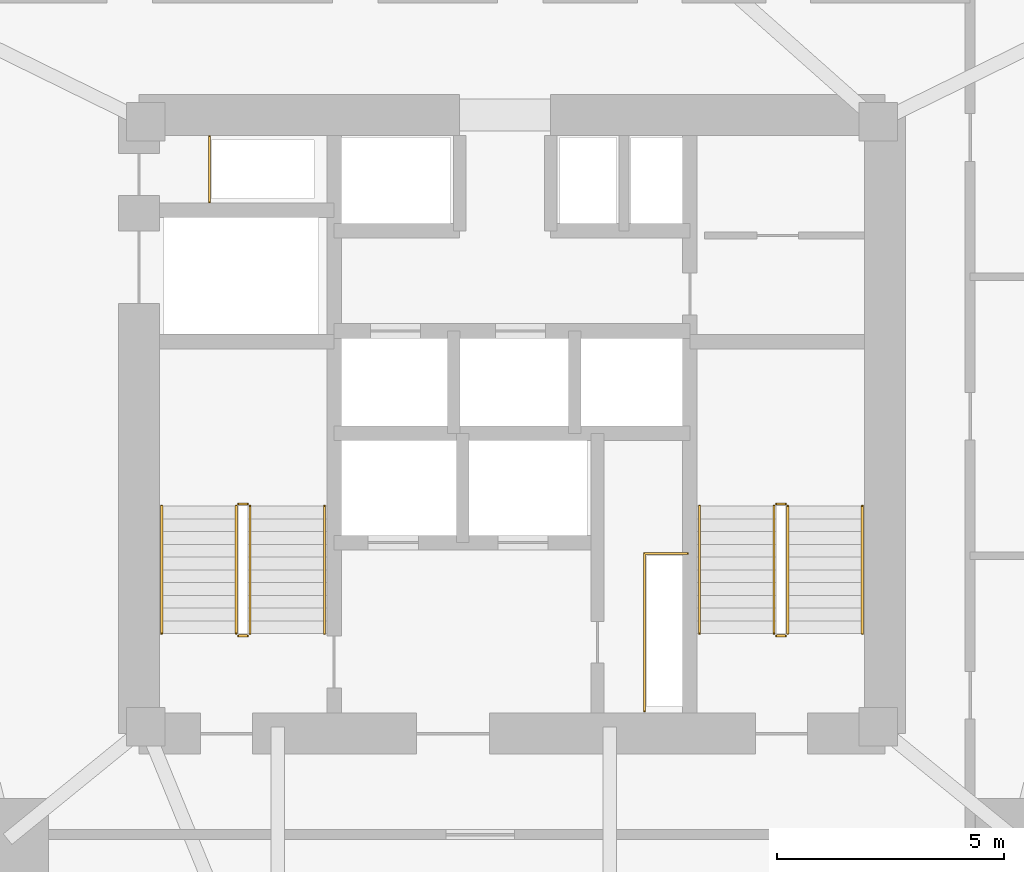
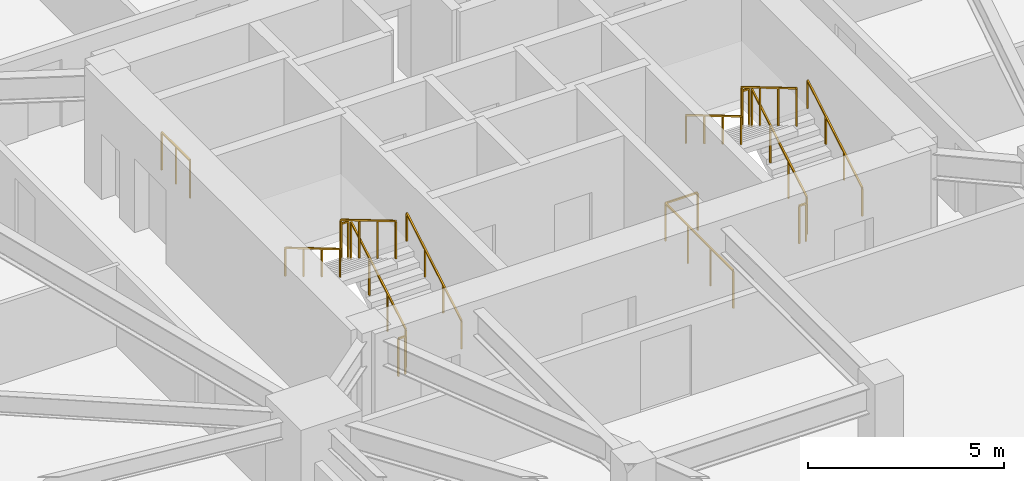
# One storey, part 20 of 20: 14 railings.
"""IFC4 building model written with IfcOpenShell, lengths in metres."""

from ifc_helpers import new_model, si_unit, direction, frame, origin, origin_2d, place, context, subcontext, project, spatial, rectangle, extrude, material, type_object, element, save


model = new_model("IFC4")

# Units and contexts
model_context = context("Model", 3, precision=1e-05, world=origin(), true_north=direction((0.0, 1.0)))
body_context = subcontext(model_context, "Body", "Model", "MODEL_VIEW")
ifc_project = project(units=[si_unit("LENGTHUNIT", "METRE"), si_unit("AREAUNIT", "SQUARE_METRE"), si_unit("VOLUMEUNIT", "CUBIC_METRE"), si_unit("PLANEANGLEUNIT", "RADIAN"), si_unit("MASSUNIT", "GRAM", prefix="KILO")], contexts=[model_context])

# Site, building, storey
site_placement = place(None, origin())
site = spatial("IfcSite", under=ifc_project, at=site_placement, CompositionType="ELEMENT")
building_placement = place(site_placement, origin())
building = spatial("IfcBuilding", under=site, at=building_placement, Name="Talyreon Biosciences Tower", CompositionType="ELEMENT")
storey_placement = place(building_placement, frame((0.0, 0.0, 37.39990234375)))
storey = spatial("IfcBuildingStorey", under=building, at=storey_placement, Name="L09", CompositionType="ELEMENT", Elevation=37.39990234375)

# Railings
ifc_material_1 = material(Name="Brushed stainless-steel tubular handrail", Category="steel")
railing_type_1 = type_object("IfcRailingType", Name="StairWallHandrail_900", PredefinedType="HANDRAIL", material=ifc_material_1)
railing_1_placement = place(storey_placement, frame((61.8798828125, 63.39990234375, 0.166015625)))
element("IfcRailing", 1, at=railing_1_placement, inside=storey, type_object=railing_type_1, Name="L09 ST-1 stair handrail 1", PredefinedType="HANDRAIL", context=body_context, shape_type="SweptSolid", body=[
    extrude(rectangle(XDim=0.048095703125, YDim=0.048095703125, at=origin_2d()), frame((0.0, 0.0, 0.8759765625), z_axis=(0.0, 0.860306154799, 0.50977771628), x_axis=(-1.0, 0.0, 0.0)), (0.0, 0.0, 1.0), 3.254638671875),
    extrude(rectangle(XDim=0.0419921875, YDim=0.0419921875, at=origin_2d()), origin(), (0.0, 0.0, 1.0), 0.851806640625),
    extrude(rectangle(XDim=0.0419921875, YDim=0.0419921875, at=origin_2d()), frame((0.0, 0.933349609375, 0.552978515625)), (0.0, 0.0, 1.0), 0.851806640625),
    extrude(rectangle(XDim=0.0419921875, YDim=0.0419921875, at=origin_2d()), frame((0.0, 1.86669921875, 1.106201171875)), (0.0, 0.0, 1.0), 0.851806640625),
    extrude(rectangle(XDim=0.0419921875, YDim=0.0419921875, at=origin_2d()), frame((0.0, 2.800048828125, 1.6591796875)), (0.0, 0.0, 1.0), 0.851806640625),
])
railing_2_placement = place(storey_placement, frame((58.300048828125, 66.199951171875, 1.990966796875)))
element("IfcRailing", 2, at=railing_2_placement, inside=storey, type_object=railing_type_1, Name="L09 ST-1 stair handrail 2", PredefinedType="HANDRAIL", context=body_context, shape_type="SweptSolid", body=[
    extrude(rectangle(XDim=0.048095703125, YDim=0.048095703125, at=origin_2d()), frame((0.0, 0.0, 0.8759765625), z_axis=(0.0, -0.860306154799, 0.50977771628), x_axis=(1.0, 0.0, 0.0)), (0.0, 0.0, 1.0), 3.254638671875),
    extrude(rectangle(XDim=0.0419921875, YDim=0.0419921875, at=origin_2d()), origin(), (0.0, 0.0, 1.0), 0.851806640625),
    extrude(rectangle(XDim=0.0419921875, YDim=0.0419921875, at=origin_2d()), frame((0.0, -0.933349609375, 0.552978515625)), (0.0, 0.0, 1.0), 0.851806640625),
    extrude(rectangle(XDim=0.0419921875, YDim=0.0419921875, at=origin_2d()), frame((0.0, -1.86669921875, 1.106201171875)), (0.0, 0.0, 1.0), 0.851806640625),
    extrude(rectangle(XDim=0.0419921875, YDim=0.0419921875, at=origin_2d()), frame((0.0, -2.800048828125, 1.6591796875)), (0.0, 0.0, 1.0), 0.851806640625),
])
railing_3_placement = place(storey_placement, frame((73.699951171875, 63.39990234375, 0.166015625)))
element("IfcRailing", 3, at=railing_3_placement, inside=storey, type_object=railing_type_1, Name="L09 ST-2 stair handrail 1", PredefinedType="HANDRAIL", context=body_context, shape_type="SweptSolid", body=[
    extrude(rectangle(XDim=0.048095703125, YDim=0.048095703125, at=origin_2d()), frame((0.0, 0.0, 0.8759765625), z_axis=(0.0, 0.860306154799, 0.50977771628), x_axis=(-1.0, 0.0, 0.0)), (0.0, 0.0, 1.0), 3.254638671875),
    extrude(rectangle(XDim=0.0419921875, YDim=0.0419921875, at=origin_2d()), origin(), (0.0, 0.0, 1.0), 0.851806640625),
    extrude(rectangle(XDim=0.0419921875, YDim=0.0419921875, at=origin_2d()), frame((0.0, 0.933349609375, 0.552978515625)), (0.0, 0.0, 1.0), 0.851806640625),
    extrude(rectangle(XDim=0.0419921875, YDim=0.0419921875, at=origin_2d()), frame((0.0, 1.86669921875, 1.106201171875)), (0.0, 0.0, 1.0), 0.851806640625),
    extrude(rectangle(XDim=0.0419921875, YDim=0.0419921875, at=origin_2d()), frame((0.0, 2.800048828125, 1.6591796875)), (0.0, 0.0, 1.0), 0.851806640625),
])
railing_4_placement = place(storey_placement, frame((70.1201171875, 66.199951171875, 1.990966796875)))
element("IfcRailing", 4, at=railing_4_placement, inside=storey, type_object=railing_type_1, Name="L09 ST-2 stair handrail 2", PredefinedType="HANDRAIL", context=body_context, shape_type="SweptSolid", body=[
    extrude(rectangle(XDim=0.048095703125, YDim=0.048095703125, at=origin_2d()), frame((0.0, 0.0, 0.8759765625), z_axis=(0.0, -0.860306154799, 0.50977771628), x_axis=(1.0, 0.0, 0.0)), (0.0, 0.0, 1.0), 3.254638671875),
    extrude(rectangle(XDim=0.0419921875, YDim=0.0419921875, at=origin_2d()), origin(), (0.0, 0.0, 1.0), 0.851806640625),
    extrude(rectangle(XDim=0.0419921875, YDim=0.0419921875, at=origin_2d()), frame((0.0, -0.933349609375, 0.552978515625)), (0.0, 0.0, 1.0), 0.851806640625),
    extrude(rectangle(XDim=0.0419921875, YDim=0.0419921875, at=origin_2d()), frame((0.0, -1.86669921875, 1.106201171875)), (0.0, 0.0, 1.0), 0.851806640625),
    extrude(rectangle(XDim=0.0419921875, YDim=0.0419921875, at=origin_2d()), frame((0.0, -2.800048828125, 1.6591796875)), (0.0, 0.0, 1.0), 0.851806640625),
])
ifc_material_2 = material(Name="Painted galvanised steel post-and-rail balustrade", Category="steel")
railing_type_2 = type_object("IfcRailingType", Name="TerraceStairGuard_1200", PredefinedType="GUARDRAIL", material=ifc_material_2)
railing_5_placement = place(storey_placement, frame((60.239990234375, 63.39990234375, 0.166015625)))
element("IfcRailing", 5, at=railing_5_placement, inside=storey, type_object=railing_type_2, Name="L09 ST-1 stair guard 1", PredefinedType="GUARDRAIL", context=body_context, shape_type="SweptSolid", body=[
    extrude(rectangle(XDim=0.048095703125, YDim=0.048095703125, at=origin_2d()), frame((0.0, 0.0, 1.17578125), z_axis=(0.0, 0.860306154799, 0.50977771628), x_axis=(-1.0, 0.0, 0.0)), (0.0, 0.0, 1.0), 3.254638671875),
    extrude(rectangle(XDim=0.0419921875, YDim=0.0419921875, at=origin_2d()), origin(), (0.0, 0.0, 1.0), 1.15185546875),
    extrude(rectangle(XDim=0.0419921875, YDim=0.0419921875, at=origin_2d()), frame((0.0, 0.933349609375, 0.552978515625)), (0.0, 0.0, 1.0), 1.15185546875),
    extrude(rectangle(XDim=0.0419921875, YDim=0.0419921875, at=origin_2d()), frame((0.0, 1.86669921875, 1.106201171875)), (0.0, 0.0, 1.0), 1.15185546875),
    extrude(rectangle(XDim=0.0419921875, YDim=0.0419921875, at=origin_2d()), frame((0.0, 2.800048828125, 1.6591796875)), (0.0, 0.0, 1.0), 1.15185546875),
])
railing_6_placement = place(storey_placement, frame((60.18994140625, 66.25, 1.8251953125)))
element("IfcRailing", 6, at=railing_6_placement, inside=storey, type_object=railing_type_2, Name="L09 ST-1 stair guard 2", PredefinedType="GUARDRAIL", context=body_context, shape_type="SweptSolid", body=[
    extrude(rectangle(XDim=0.048095703125, YDim=0.048095703125, at=origin_2d()), frame((0.0, 0.0, 1.17578125), z_axis=(-1.0, 0.0, 0.0), x_axis=(0.0, -1.0, 0.0)), (0.0, 0.0, 1.0), 0.199951171875),
    extrude(rectangle(XDim=0.0419921875, YDim=0.0419921875, at=origin_2d()), origin(), (0.0, 0.0, 1.0), 1.15185546875),
    extrude(rectangle(XDim=0.0419921875, YDim=0.0419921875, at=origin_2d()), frame((-0.199951171875, 0.0, 0.0)), (0.0, 0.0, 1.0), 1.15185546875),
])
railing_7_placement = place(storey_placement, frame((59.93994140625, 66.199951171875, 1.990966796875)))
element("IfcRailing", 7, at=railing_7_placement, inside=storey, type_object=railing_type_2, Name="L09 ST-1 stair guard 3", PredefinedType="GUARDRAIL", context=body_context, shape_type="SweptSolid", body=[
    extrude(rectangle(XDim=0.048095703125, YDim=0.048095703125, at=origin_2d()), frame((0.0, 0.0, 1.17578125), z_axis=(0.0, -0.860306154799, 0.50977771628), x_axis=(1.0, 0.0, 0.0)), (0.0, 0.0, 1.0), 3.254638671875),
    extrude(rectangle(XDim=0.0419921875, YDim=0.0419921875, at=origin_2d()), origin(), (0.0, 0.0, 1.0), 1.15185546875),
    extrude(rectangle(XDim=0.0419921875, YDim=0.0419921875, at=origin_2d()), frame((0.0, -0.933349609375, 0.552978515625)), (0.0, 0.0, 1.0), 1.15185546875),
    extrude(rectangle(XDim=0.0419921875, YDim=0.0419921875, at=origin_2d()), frame((0.0, -1.86669921875, 1.106201171875)), (0.0, 0.0, 1.0), 1.15185546875),
    extrude(rectangle(XDim=0.0419921875, YDim=0.0419921875, at=origin_2d()), frame((0.0, -2.800048828125, 1.6591796875)), (0.0, 0.0, 1.0), 1.15185546875),
])
railing_8_placement = place(storey_placement, frame((60.18994140625, 63.35009765625, 0.0)))
element("IfcRailing", 8, at=railing_8_placement, inside=storey, type_object=railing_type_2, Name="L09 ST-1 stair guard 4", PredefinedType="GUARDRAIL", context=body_context, shape_type="SweptSolid", body=[
    extrude(rectangle(XDim=0.048095703125, YDim=0.048095703125, at=origin_2d()), frame((0.0, 0.0, 1.17578125), z_axis=(-1.0, 0.0, 0.0), x_axis=(0.0, -1.0, 0.0)), (0.0, 0.0, 1.0), 0.199951171875),
    extrude(rectangle(XDim=0.0419921875, YDim=0.0419921875, at=origin_2d()), origin(), (0.0, 0.0, 1.0), 1.15185546875),
    extrude(rectangle(XDim=0.0419921875, YDim=0.0419921875, at=origin_2d()), frame((-0.199951171875, 0.0, 0.0)), (0.0, 0.0, 1.0), 1.15185546875),
])
railing_9_placement = place(storey_placement, frame((72.06005859375, 63.39990234375, 0.166015625)))
element("IfcRailing", 9, at=railing_9_placement, inside=storey, type_object=railing_type_2, Name="L09 ST-2 stair guard 1", PredefinedType="GUARDRAIL", context=body_context, shape_type="SweptSolid", body=[
    extrude(rectangle(XDim=0.048095703125, YDim=0.048095703125, at=origin_2d()), frame((0.0, 0.0, 1.17578125), z_axis=(0.0, 0.860306154799, 0.50977771628), x_axis=(-1.0, 0.0, 0.0)), (0.0, 0.0, 1.0), 3.254638671875),
    extrude(rectangle(XDim=0.0419921875, YDim=0.0419921875, at=origin_2d()), origin(), (0.0, 0.0, 1.0), 1.15185546875),
    extrude(rectangle(XDim=0.0419921875, YDim=0.0419921875, at=origin_2d()), frame((0.0, 0.933349609375, 0.552978515625)), (0.0, 0.0, 1.0), 1.15185546875),
    extrude(rectangle(XDim=0.0419921875, YDim=0.0419921875, at=origin_2d()), frame((0.0, 1.86669921875, 1.106201171875)), (0.0, 0.0, 1.0), 1.15185546875),
    extrude(rectangle(XDim=0.0419921875, YDim=0.0419921875, at=origin_2d()), frame((0.0, 2.800048828125, 1.6591796875)), (0.0, 0.0, 1.0), 1.15185546875),
])
railing_10_placement = place(storey_placement, frame((72.010009765625, 66.25, 1.8251953125)))
element("IfcRailing", 10, at=railing_10_placement, inside=storey, type_object=railing_type_2, Name="L09 ST-2 stair guard 2", PredefinedType="GUARDRAIL", context=body_context, shape_type="SweptSolid", body=[
    extrude(rectangle(XDim=0.048095703125, YDim=0.048095703125, at=origin_2d()), frame((0.0, 0.0, 1.17578125), z_axis=(-1.0, 0.0, 0.0), x_axis=(0.0, -1.0, 0.0)), (0.0, 0.0, 1.0), 0.199951171875),
    extrude(rectangle(XDim=0.0419921875, YDim=0.0419921875, at=origin_2d()), origin(), (0.0, 0.0, 1.0), 1.15185546875),
    extrude(rectangle(XDim=0.0419921875, YDim=0.0419921875, at=origin_2d()), frame((-0.199951171875, 0.0, 0.0)), (0.0, 0.0, 1.0), 1.15185546875),
])
railing_11_placement = place(storey_placement, frame((71.760009765625, 66.199951171875, 1.990966796875)))
element("IfcRailing", 11, at=railing_11_placement, inside=storey, type_object=railing_type_2, Name="L09 ST-2 stair guard 3", PredefinedType="GUARDRAIL", context=body_context, shape_type="SweptSolid", body=[
    extrude(rectangle(XDim=0.048095703125, YDim=0.048095703125, at=origin_2d()), frame((0.0, 0.0, 1.17578125), z_axis=(0.0, -0.860306154799, 0.50977771628), x_axis=(1.0, 0.0, 0.0)), (0.0, 0.0, 1.0), 3.254638671875),
    extrude(rectangle(XDim=0.0419921875, YDim=0.0419921875, at=origin_2d()), origin(), (0.0, 0.0, 1.0), 1.15185546875),
    extrude(rectangle(XDim=0.0419921875, YDim=0.0419921875, at=origin_2d()), frame((0.0, -0.933349609375, 0.552978515625)), (0.0, 0.0, 1.0), 1.15185546875),
    extrude(rectangle(XDim=0.0419921875, YDim=0.0419921875, at=origin_2d()), frame((0.0, -1.86669921875, 1.106201171875)), (0.0, 0.0, 1.0), 1.15185546875),
    extrude(rectangle(XDim=0.0419921875, YDim=0.0419921875, at=origin_2d()), frame((0.0, -2.800048828125, 1.6591796875)), (0.0, 0.0, 1.0), 1.15185546875),
])
railing_12_placement = place(storey_placement, frame((72.010009765625, 63.35009765625, 0.0)))
element("IfcRailing", 12, at=railing_12_placement, inside=storey, type_object=railing_type_2, Name="L09 ST-2 stair guard 4", PredefinedType="GUARDRAIL", context=body_context, shape_type="SweptSolid", body=[
    extrude(rectangle(XDim=0.048095703125, YDim=0.048095703125, at=origin_2d()), frame((0.0, 0.0, 1.17578125), z_axis=(-1.0, 0.0, 0.0), x_axis=(0.0, -1.0, 0.0)), (0.0, 0.0, 1.0), 0.199951171875),
    extrude(rectangle(XDim=0.0419921875, YDim=0.0419921875, at=origin_2d()), origin(), (0.0, 0.0, 1.0), 1.15185546875),
    extrude(rectangle(XDim=0.0419921875, YDim=0.0419921875, at=origin_2d()), frame((-0.199951171875, 0.0, 0.0)), (0.0, 0.0, 1.0), 1.15185546875),
])
railing_13_placement = place(storey_placement, frame((59.35009765625, 72.8798828125, 0.0)))
element("IfcRailing", 13, at=railing_13_placement, inside=storey, type_object=railing_type_2, Name="L09 Exhaust Riser Maintenance Guardrail", PredefinedType="GUARDRAIL", context=body_context, shape_type="SweptSolid", body=[
    extrude(rectangle(XDim=0.048095703125, YDim=0.048095703125, at=origin_2d()), frame((0.0, 0.0, 1.17578125), z_axis=(0.0, 1.0, 0.0), x_axis=(-1.0, 0.0, 0.0)), (0.0, 0.0, 1.0), 1.4501953125),
    extrude(rectangle(XDim=0.0419921875, YDim=0.0419921875, at=origin_2d()), origin(), (0.0, 0.0, 1.0), 1.15185546875),
    extrude(rectangle(XDim=0.0419921875, YDim=0.0419921875, at=origin_2d()), frame((0.0, 0.72509765625, 0.0)), (0.0, 0.0, 1.0), 1.15185546875),
    extrude(rectangle(XDim=0.0419921875, YDim=0.0419921875, at=origin_2d()), frame((0.0, 1.4501953125, 0.0)), (0.0, 0.0, 1.0), 1.15185546875),
])
railing_14_placement = place(storey_placement, frame((68.909912109375, 61.699951171875, 0.0)))
element("IfcRailing", 14, at=railing_14_placement, inside=storey, type_object=railing_type_2, Name="L09 Electrical Riser Maintenance Guardrail", PredefinedType="GUARDRAIL", context=body_context, shape_type="SweptSolid", body=[
    extrude(rectangle(XDim=0.048095703125, YDim=0.048095703125, at=origin_2d()), frame((0.0, 0.0, 1.17578125), z_axis=(0.0, 1.0, 0.0), x_axis=(-1.0, 0.0, 0.0)), (0.0, 0.0, 1.0), 3.4599609375),
    extrude(rectangle(XDim=0.048095703125, YDim=0.048095703125, at=origin_2d()), frame((0.0, 3.4599609375, 1.17578125), z_axis=(1.0, 0.0, 0.0), x_axis=(0.0, 1.0, 0.0)), (0.0, 0.0, 1.0), 0.9501953125),
    extrude(rectangle(XDim=0.0419921875, YDim=0.0419921875, at=origin_2d()), origin(), (0.0, 0.0, 1.0), 1.15185546875),
    extrude(rectangle(XDim=0.0419921875, YDim=0.0419921875, at=origin_2d()), frame((0.0, 1.1533203125, 0.0)), (0.0, 0.0, 1.0), 1.15185546875),
    extrude(rectangle(XDim=0.0419921875, YDim=0.0419921875, at=origin_2d()), frame((0.0, 2.306640625, 0.0)), (0.0, 0.0, 1.0), 1.15185546875),
    extrude(rectangle(XDim=0.0419921875, YDim=0.0419921875, at=origin_2d()), frame((0.0, 3.4599609375, 0.0)), (0.0, 0.0, 1.0), 1.15185546875),
    extrude(rectangle(XDim=0.0419921875, YDim=0.0419921875, at=origin_2d()), frame((0.9501953125, 3.4599609375, 0.0)), (0.0, 0.0, 1.0), 1.15185546875),
])

save(model, "model.ifc")
